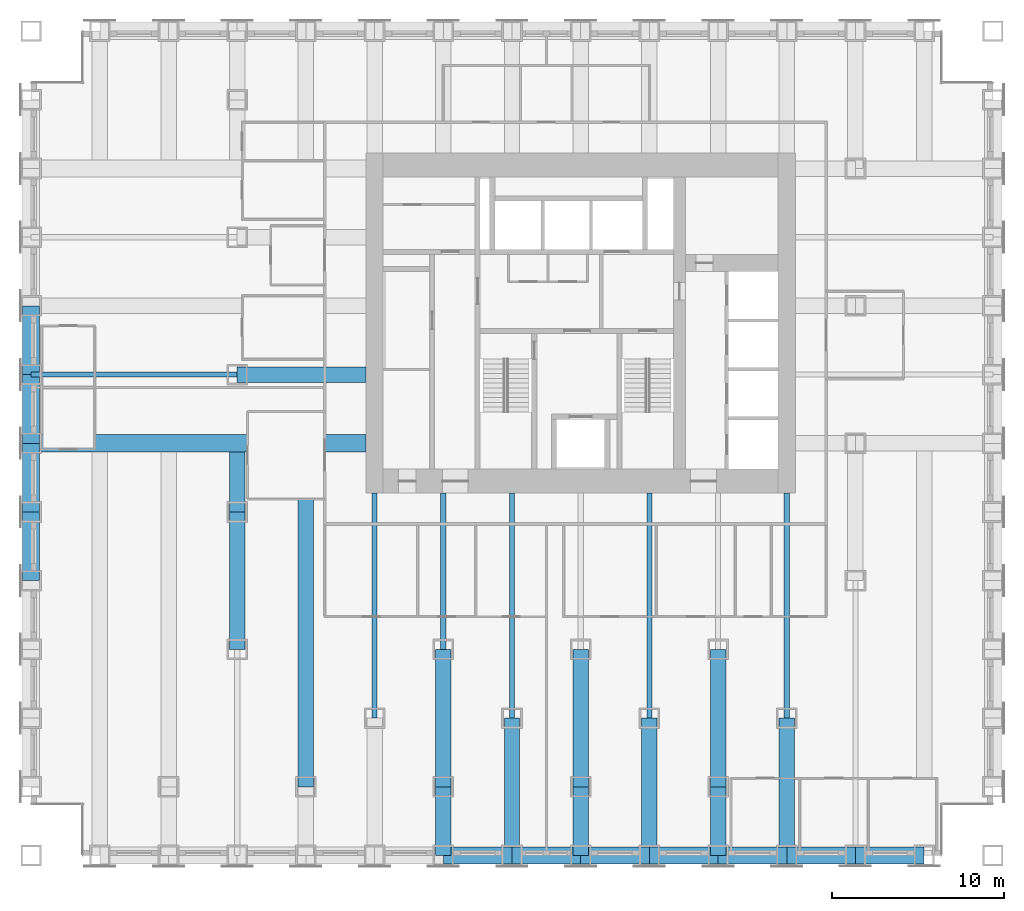
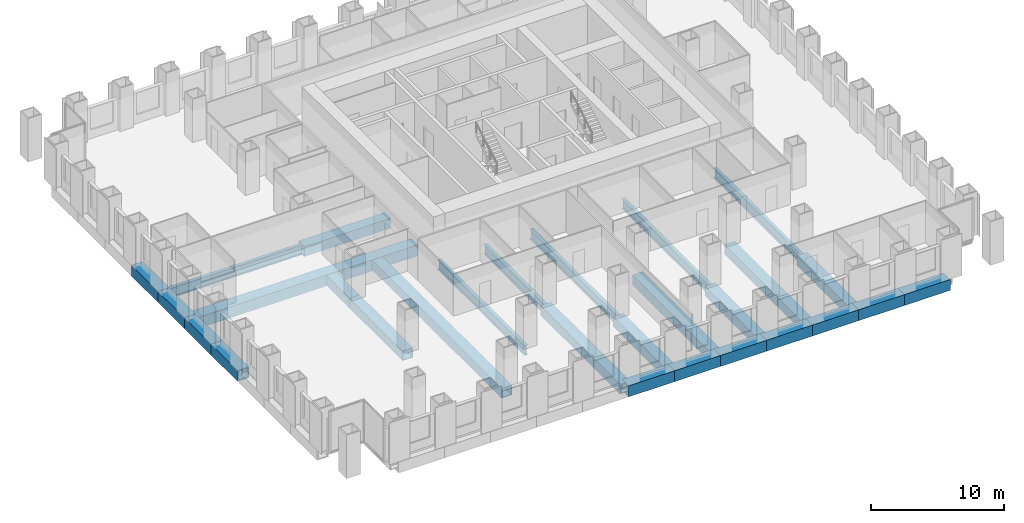
# One storey, part 3 of 15: 31 beams.
"""IFC4 building model written with IfcOpenShell, lengths in metres."""

from ifc_helpers import new_model, si_unit, direction, frame, origin, origin_2d, place, context, subcontext, project, spatial, hollow_rectangle, i_section, extrude, material, material_profile, profile_set, type_object, element, save


model = new_model("IFC4")

# Units and contexts
model_context = context("Model", 3, precision=1e-05, world=origin(), true_north=direction((0.0, 1.0)))
body_context = subcontext(model_context, "Body", "Model", "MODEL_VIEW")
ifc_project = project(units=[si_unit("LENGTHUNIT", "METRE"), si_unit("AREAUNIT", "SQUARE_METRE"), si_unit("VOLUMEUNIT", "CUBIC_METRE"), si_unit("PLANEANGLEUNIT", "RADIAN"), si_unit("MASSUNIT", "GRAM", prefix="KILO")], contexts=[model_context])

# Site, building, storey
site_placement = place(None, origin())
site = spatial("IfcSite", under=ifc_project, at=site_placement, CompositionType="ELEMENT")
building_placement = place(site_placement, origin())
building = spatial("IfcBuilding", under=site, at=building_placement, Name="Rimbunsela Tower", CompositionType="ELEMENT")
storey_placement = place(building_placement, frame((0.0, 0.0, 35.0)))
storey = spatial("IfcBuildingStorey", under=building, at=storey_placement, Name="L08", CompositionType="ELEMENT", Elevation=35.0)

# Beams
ifc_material_1 = material(Name="Steel BJ 55 (fy 410 MPa)", Category="steel")
ifc_material_profile_1 = material_profile(ifc_material_1, hollow_rectangle(XDim=1.0, YDim=1.0, WallThickness=0.10009765625, at=origin_2d()), Name="BOX 1000x1000x100")
ifc_profile_set_1 = profile_set([ifc_material_profile_1], Name="Steel BJ 55 (fy 410 MPa)")
beam_type_1 = type_object("IfcBeamType", Name="Beam BOX 1000x1000x100", PredefinedType="BEAM", material=ifc_profile_set_1)
for number, where, z_axis, x_axis, name in (
    (1, (-2.0, 12.0, -0.64990234375), (0.0, 1.0, 0.0), (-1.0, 0.0, 0.0), "Beam B3 L08"),
    (2, (-2.0, 16.0, -0.64990234375), (0.0, 1.0, 0.0), (-1.0, 0.0, 0.0), "Beam B3 L08"),
    (3, (-2.0, 20.0, -0.64990234375), (0.0, 1.0, 0.0), (-1.0, 0.0, 0.0), "Beam B3 L08"),
):
    element("IfcBeam", number, at=place(storey_placement, frame(where, z_axis=z_axis, x_axis=x_axis)), inside=storey, type_object=beam_type_1, Name=name, PredefinedType="BEAM", context=body_context, shape_type="SweptSolid", body=[
        extrude(hollow_rectangle(XDim=1.0, YDim=1.0, WallThickness=0.10009765625, at=origin_2d()), origin(), (0.0, 0.0, 1.0), 4.0),
    ])
beam_1_placement = place(storey_placement, frame((-2.0, 20.0, -0.64990234375), z_axis=(1.0, 0.0, 0.0), x_axis=(0.0, 1.0, 0.0)))
element("IfcBeam", 4, at=beam_1_placement, inside=storey, type_object=beam_type_1, Name="Beam B3 L08", PredefinedType="BEAM", context=body_context, shape_type="SweptSolid", body=[
    extrude(hollow_rectangle(XDim=1.0, YDim=1.0, WallThickness=0.10009765625, at=origin_2d()), origin(), (0.0, 0.0, 1.0), 19.5),
])
for number, where, z_axis, x_axis, name in (
    (5, (-2.0, 24.0, -0.64990234375), (0.0, 1.0, 0.0), (-1.0, 0.0, 0.0), "Beam B3 L08"),
    (6, (22.0, -4.0, -0.64990234375), (1.0, 0.0, 0.0), (0.0, 1.0, 0.0), "Beam B3 L08"),
    (7, (26.0, -4.0, -0.64990234375), (1.0, 0.0, 0.0), (0.0, 1.0, 0.0), "Beam B3 L08"),
    (8, (30.0, -4.0, -0.64990234375), (1.0, 0.0, 0.0), (0.0, 1.0, 0.0), "Beam B3 L08"),
    (9, (34.0, -4.0, -0.64990234375), (1.0, 0.0, 0.0), (0.0, 1.0, 0.0), "Beam B3 L08"),
    (10, (38.0, -4.0, -0.64990234375), (1.0, 0.0, 0.0), (0.0, 1.0, 0.0), "Beam B3 L08"),
    (11, (42.0, -4.0, -0.64990234375), (1.0, 0.0, 0.0), (0.0, 1.0, 0.0), "Beam B3 L08"),
    (12, (46.0, -4.0, -0.64990234375), (1.0, 0.0, 0.0), (0.0, 1.0, 0.0), "Beam B3 L08"),
):
    element("IfcBeam", number, at=place(storey_placement, frame(where, z_axis=z_axis, x_axis=x_axis)), inside=storey, type_object=beam_type_1, Name=name, PredefinedType="BEAM", context=body_context, shape_type="SweptSolid", body=[
        extrude(hollow_rectangle(XDim=1.0, YDim=1.0, WallThickness=0.10009765625, at=origin_2d()), origin(), (0.0, 0.0, 1.0), 4.0),
    ])
ifc_material_2 = material(Name="Steel BJ 55 (fy 410 MPa)", Category="steel")
ifc_material_profile_2 = material_profile(ifc_material_2, hollow_rectangle(XDim=0.89990234375, YDim=0.89990234375, WallThickness=0.06005859375, at=origin_2d()), Name="BOX 900x900x60")
ifc_profile_set_2 = profile_set([ifc_material_profile_2], Name="Steel BJ 55 (fy 410 MPa)")
beam_type_2 = type_object("IfcBeamType", Name="Beam BOX 900x900x60", PredefinedType="BEAM", material=ifc_profile_set_2)
beam_2_placement = place(storey_placement, frame((10.0, 8.0, -0.60009765625), z_axis=(0.0, 1.0, 0.0), x_axis=(-1.0, 0.0, 0.0)))
element("IfcBeam", 13, at=beam_2_placement, inside=storey, type_object=beam_type_2, Name="Beam B1 L08", PredefinedType="BEAM", context=body_context, shape_type="SweptSolid", body=[
    extrude(hollow_rectangle(XDim=0.89990234375, YDim=0.89990234375, WallThickness=0.06005859375, at=origin_2d()), origin(), (0.0, 0.0, 1.0), 8.0),
])
beam_3_placement = place(storey_placement, frame((10.0, 16.0, -0.60009765625), z_axis=(0.0, 1.0, 0.0), x_axis=(-1.0, 0.0, 0.0)))
element("IfcBeam", 14, at=beam_3_placement, inside=storey, type_object=beam_type_2, Name="Beam B1 L08", PredefinedType="BEAM", context=body_context, shape_type="SweptSolid", body=[
    extrude(hollow_rectangle(XDim=0.89990234375, YDim=0.89990234375, WallThickness=0.06005859375, at=origin_2d()), origin(), (0.0, 0.0, 1.0), 3.5),
])
beam_4_placement = place(storey_placement, frame((10.0, 24.0, -0.60009765625), z_axis=(1.0, 0.0, 0.0), x_axis=(0.0, 1.0, 0.0)))
element("IfcBeam", 15, at=beam_4_placement, inside=storey, type_object=beam_type_2, Name="Beam B1 L08", PredefinedType="BEAM", context=body_context, shape_type="SweptSolid", body=[
    extrude(hollow_rectangle(XDim=0.89990234375, YDim=0.89990234375, WallThickness=0.06005859375, at=origin_2d()), origin(), (0.0, 0.0, 1.0), 7.5),
])
beam_5_placement = place(storey_placement, frame((14.0, 0.0, -0.60009765625), z_axis=(0.0, 1.0, 0.0), x_axis=(-1.0, 0.0, 0.0)))
element("IfcBeam", 16, at=beam_5_placement, inside=storey, type_object=beam_type_2, Name="Beam B1 L08", PredefinedType="BEAM", context=body_context, shape_type="SweptSolid", body=[
    extrude(hollow_rectangle(XDim=0.89990234375, YDim=0.89990234375, WallThickness=0.06005859375, at=origin_2d()), origin(), (0.0, 0.0, 1.0), 19.5),
])
beam_6_placement = place(storey_placement, frame((22.0, -4.0, -0.60009765625), z_axis=(0.0, 1.0, 0.0), x_axis=(-1.0, 0.0, 0.0)))
element("IfcBeam", 17, at=beam_6_placement, inside=storey, type_object=beam_type_2, Name="Beam B1 L08", PredefinedType="BEAM", context=body_context, shape_type="SweptSolid", body=[
    extrude(hollow_rectangle(XDim=0.89990234375, YDim=0.89990234375, WallThickness=0.06005859375, at=origin_2d()), origin(), (0.0, 0.0, 1.0), 4.0),
])
for number, where, z_axis, x_axis, name in (
    (18, (22.0, 0.0, -0.60009765625), (0.0, 1.0, 0.0), (-1.0, 0.0, 0.0), "Beam B1 L08"),
    (19, (26.0, -4.0, -0.60009765625), (0.0, 1.0, 0.0), (-1.0, 0.0, 0.0), "Beam B1 L08"),
):
    element("IfcBeam", number, at=place(storey_placement, frame(where, z_axis=z_axis, x_axis=x_axis)), inside=storey, type_object=beam_type_2, Name=name, PredefinedType="BEAM", context=body_context, shape_type="SweptSolid", body=[
        extrude(hollow_rectangle(XDim=0.89990234375, YDim=0.89990234375, WallThickness=0.06005859375, at=origin_2d()), origin(), (0.0, 0.0, 1.0), 8.0),
    ])
beam_7_placement = place(storey_placement, frame((30.0, -4.0, -0.60009765625), z_axis=(0.0, 1.0, 0.0), x_axis=(-1.0, 0.0, 0.0)))
element("IfcBeam", 20, at=beam_7_placement, inside=storey, type_object=beam_type_2, Name="Beam B1 L08", PredefinedType="BEAM", context=body_context, shape_type="SweptSolid", body=[
    extrude(hollow_rectangle(XDim=0.89990234375, YDim=0.89990234375, WallThickness=0.06005859375, at=origin_2d()), origin(), (0.0, 0.0, 1.0), 4.0),
])
for number, where, z_axis, x_axis, name in (
    (21, (30.0, 0.0, -0.60009765625), (0.0, 1.0, 0.0), (-1.0, 0.0, 0.0), "Beam B1 L08"),
    (22, (34.0, -4.0, -0.60009765625), (0.0, 1.0, 0.0), (-1.0, 0.0, 0.0), "Beam B1 L08"),
):
    element("IfcBeam", number, at=place(storey_placement, frame(where, z_axis=z_axis, x_axis=x_axis)), inside=storey, type_object=beam_type_2, Name=name, PredefinedType="BEAM", context=body_context, shape_type="SweptSolid", body=[
        extrude(hollow_rectangle(XDim=0.89990234375, YDim=0.89990234375, WallThickness=0.06005859375, at=origin_2d()), origin(), (0.0, 0.0, 1.0), 8.0),
    ])
beam_8_placement = place(storey_placement, frame((38.0, -4.0, -0.60009765625), z_axis=(0.0, 1.0, 0.0), x_axis=(-1.0, 0.0, 0.0)))
element("IfcBeam", 23, at=beam_8_placement, inside=storey, type_object=beam_type_2, Name="Beam B1 L08", PredefinedType="BEAM", context=body_context, shape_type="SweptSolid", body=[
    extrude(hollow_rectangle(XDim=0.89990234375, YDim=0.89990234375, WallThickness=0.06005859375, at=origin_2d()), origin(), (0.0, 0.0, 1.0), 4.0),
])
for number, where, z_axis, x_axis, name in (
    (24, (38.0, 0.0, -0.60009765625), (0.0, 1.0, 0.0), (-1.0, 0.0, 0.0), "Beam B1 L08"),
    (25, (42.0, -4.0, -0.60009765625), (0.0, 1.0, 0.0), (-1.0, 0.0, 0.0), "Beam B1 L08"),
):
    element("IfcBeam", number, at=place(storey_placement, frame(where, z_axis=z_axis, x_axis=x_axis)), inside=storey, type_object=beam_type_2, Name=name, PredefinedType="BEAM", context=body_context, shape_type="SweptSolid", body=[
        extrude(hollow_rectangle(XDim=0.89990234375, YDim=0.89990234375, WallThickness=0.06005859375, at=origin_2d()), origin(), (0.0, 0.0, 1.0), 8.0),
    ])
ifc_material_3 = material(Name="Steel BJ 55 (fy 410 MPa)", Category="steel")
ifc_material_profile_3 = material_profile(ifc_material_3, i_section(OverallWidth=0.300048828125, OverallDepth=0.89990234375, WebThickness=0.01611328125, FlangeThickness=0.028076171875, FilletRadius=0.028076171875, at=origin_2d()), Name="H 900x300x16x28")
ifc_profile_set_3 = profile_set([ifc_material_profile_3], Name="Steel BJ 55 (fy 410 MPa)")
beam_type_3 = type_object("IfcBeamType", Name="Beam H 900x300x16x28", PredefinedType="BEAM", material=ifc_profile_set_3)
beam_9_placement = place(storey_placement, frame((-2.0, 24.0, -0.60009765625), z_axis=(1.0, 0.0, 0.0), x_axis=(0.0, 1.0, 0.0)))
element("IfcBeam", 26, at=beam_9_placement, inside=storey, type_object=beam_type_3, Name="Beam B2 L08", PredefinedType="BEAM", context=body_context, shape_type="SweptSolid", body=[
    extrude(i_section(OverallWidth=0.300048828125, OverallDepth=0.89990234375, WebThickness=0.01611328125, FlangeThickness=0.028076171875, FilletRadius=0.028076171875, at=origin_2d()), origin(), (0.0, 0.0, 1.0), 12.0),
])
beam_10_placement = place(storey_placement, frame((18.0, 4.0, -0.60009765625), z_axis=(0.0, 1.0, 0.0), x_axis=(-1.0, 0.0, 0.0)))
element("IfcBeam", 27, at=beam_10_placement, inside=storey, type_object=beam_type_3, Name="Beam B2 L08", PredefinedType="BEAM", context=body_context, shape_type="SweptSolid", body=[
    extrude(i_section(OverallWidth=0.300048828125, OverallDepth=0.89990234375, WebThickness=0.01611328125, FlangeThickness=0.028076171875, FilletRadius=0.028076171875, at=origin_2d()), origin(), (0.0, 0.0, 1.0), 13.10009765625),
])
beam_11_placement = place(storey_placement, frame((22.0, 8.0, -0.60009765625), z_axis=(0.0, 1.0, 0.0), x_axis=(-1.0, 0.0, 0.0)))
element("IfcBeam", 28, at=beam_11_placement, inside=storey, type_object=beam_type_3, Name="Beam B2 L08", PredefinedType="BEAM", context=body_context, shape_type="SweptSolid", body=[
    extrude(i_section(OverallWidth=0.300048828125, OverallDepth=0.89990234375, WebThickness=0.01611328125, FlangeThickness=0.028076171875, FilletRadius=0.028076171875, at=origin_2d()), origin(), (0.0, 0.0, 1.0), 9.10009765625),
])
for number, where, z_axis, x_axis, name in (
    (29, (26.0, 4.0, -0.60009765625), (0.0, 1.0, 0.0), (-1.0, 0.0, 0.0), "Beam B2 L08"),
    (30, (34.0, 4.0, -0.60009765625), (0.0, 1.0, 0.0), (-1.0, 0.0, 0.0), "Beam B2 L08"),
    (31, (42.0, 4.0, -0.60009765625), (0.0, 1.0, 0.0), (-1.0, 0.0, 0.0), "Beam B2 L08"),
):
    element("IfcBeam", number, at=place(storey_placement, frame(where, z_axis=z_axis, x_axis=x_axis)), inside=storey, type_object=beam_type_3, Name=name, PredefinedType="BEAM", context=body_context, shape_type="SweptSolid", body=[
        extrude(i_section(OverallWidth=0.300048828125, OverallDepth=0.89990234375, WebThickness=0.01611328125, FlangeThickness=0.028076171875, FilletRadius=0.028076171875, at=origin_2d()), origin(), (0.0, 0.0, 1.0), 13.10009765625),
    ])

save(model, "model.ifc")
